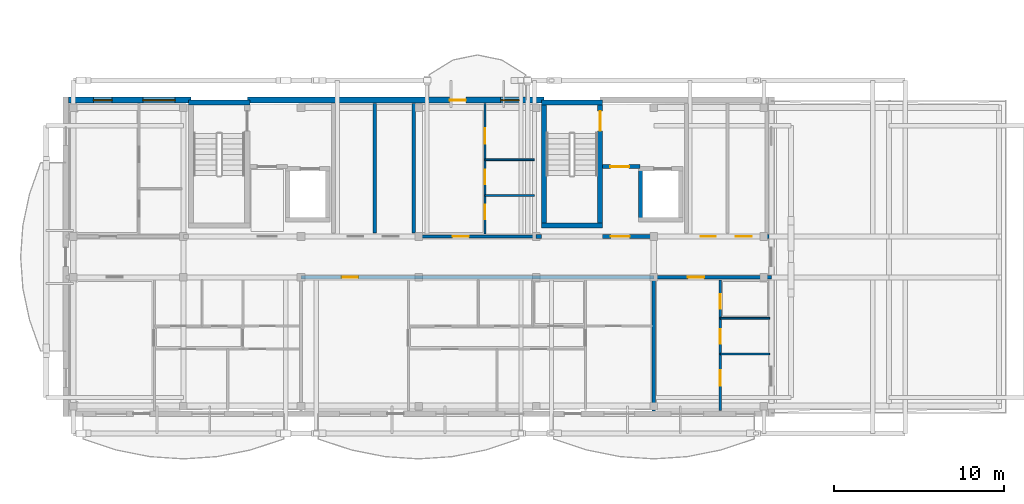
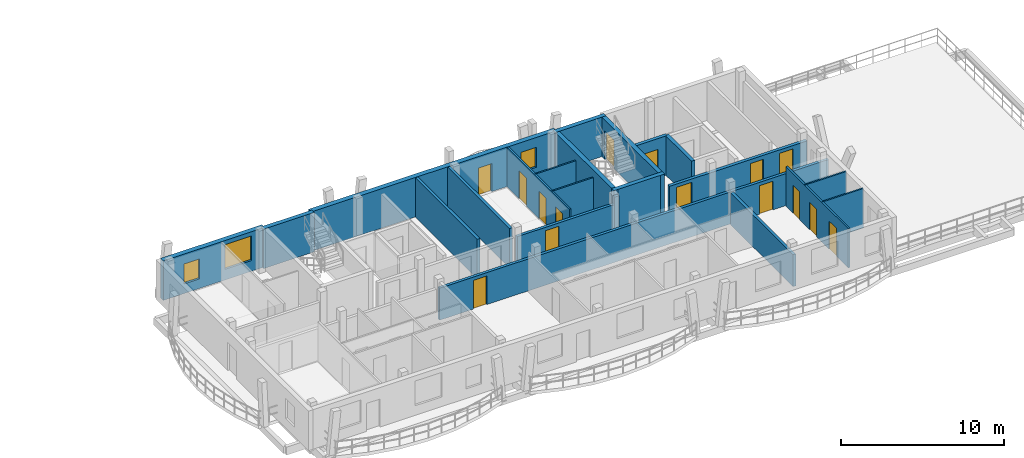
# One storey, part 15 of 33: 23 walls, 15 doors, 3 windows, 18 openings.
"""IFC4 building model written with IfcOpenShell, lengths in metres."""

from ifc_helpers import new_model, si_unit, direction, frame, frame_2d, origin, origin_with_axes, place, context, subcontext, project, spatial, rectangle, extrude, material, layer, layer_set, type_object, element, fill, save


model = new_model("IFC4")

# Units and contexts
model_context = context("Model", 3, precision=1e-05, world=origin(), true_north=direction((0.0, 1.0)))
body_context = subcontext(model_context, "Body", "Model", "MODEL_VIEW")
ifc_project = project(units=[si_unit("LENGTHUNIT", "METRE"), si_unit("AREAUNIT", "SQUARE_METRE"), si_unit("VOLUMEUNIT", "CUBIC_METRE"), si_unit("PLANEANGLEUNIT", "RADIAN"), si_unit("MASSUNIT", "GRAM", prefix="KILO")], contexts=[model_context])

# Site, building, storey
site_placement = place(None, origin())
site = spatial("IfcSite", under=ifc_project, at=site_placement, CompositionType="ELEMENT")
building_placement = place(site_placement, origin())
building = spatial("IfcBuilding", under=site, at=building_placement, Name="Zavelmont Quarter", CompositionType="ELEMENT")
storey_placement = place(building_placement, frame((0.0, 0.0, 30.39990234375)))
storey = spatial("IfcBuildingStorey", under=building, at=storey_placement, Name="L09", CompositionType="ELEMENT", Elevation=30.39990234375)

# Wall, openings, windows
ifc_material_1 = material(Name="Natural Belgian limestone", Category="masonry")
ifc_layer_1 = layer(ifc_material_1, 0.340087890625)
ifc_layer_set_1 = layer_set([ifc_layer_1], Name="Natural Belgian limestone")
wall_type_1 = type_object("IfcWallType", Name="EW03", PredefinedType="STANDARD", material=ifc_layer_set_1)
wall_1_placement = place(storey_placement, frame((0.159912109375, 18.39990234375, 0.0), z_axis=(0.0, 0.0, 1.0), x_axis=(1.0, 0.0, 0.0)))
wall_1 = element("IfcWall", 1, at=wall_1_placement, inside=storey, type_object=wall_type_1, Name="L09 exterior limestone wall EW03", PredefinedType="STANDARD", context=body_context, shape_type="SweptSolid", body=[
    extrude(rectangle(XDim=7.190185546875, YDim=0.340087890625, at=frame_2d((3.59521484375, 0.0))), origin(), (0.0, 0.0, 1.0), 2.960205078125),
])
opening_1_placement = place(wall_1_placement, frame((1.4599609375, 0.0, 0.719970703125)))
opening_1 = element("IfcOpeningElement", 2, at=opening_1_placement, cuts=wall_1, Name="Opening WN09", PredefinedType="OPENING", context=body_context, shape_type="SweptSolid", body=[
    extrude(rectangle(XDim=1.10009765625, YDim=1.5, at=frame_2d((0.550048828125, 0.75))), frame((0.0, 0.18212890625, 0.0), z_axis=(0.0, -1.0, 0.0), x_axis=(1.0, 0.0, 0.0)), (0.0, 0.0, 1.0), 0.364013671875),
])
opening_2_placement = place(wall_1_placement, frame((4.360107421875, 0.0, 0.800048828125)))
opening_2 = element("IfcOpeningElement", 3, at=opening_2_placement, cuts=wall_1, Name="Opening WN20", PredefinedType="OPENING", context=body_context, shape_type="SweptSolid", body=[
    extrude(rectangle(XDim=1.89990234375, YDim=1.85009765625, at=frame_2d((0.949951171875, 0.925048828125))), frame((0.0, 0.18212890625, 0.0), z_axis=(0.0, -1.0, 0.0), x_axis=(1.0, 0.0, 0.0)), (0.0, 0.0, 1.0), 0.364013671875),
])
ifc_material_2 = material(Name="Double low-E insulated glazing in thermally broken aluminium frame", Category="aluminium")
window_type_1 = type_object("IfcWindowType", Name="WN09", PartitioningType="SINGLE_PANEL", PredefinedType="WINDOW", material=ifc_material_2)
window_1_placement = place(opening_1_placement, origin_with_axes())
window_1 = element("IfcWindow", 4, at=window_1_placement, inside=storey, type_object=window_type_1, Name="L09 window WN09", OverallHeight=1.5, OverallWidth=1.10009765625, PartitioningType="SINGLE_PANEL", PredefinedType="WINDOW", context=body_context, shape_type="SweptSolid", body=[
    extrude(rectangle(XDim=1.10009765625, YDim=1.5, at=frame_2d((0.550048828125, 0.75))), frame((0.0, 0.030029296875, 0.0), z_axis=(0.0, -1.0, 0.0), x_axis=(1.0, 0.0, 0.0)), (0.0, 0.0, 1.0), 0.06005859375),
])
fill(opening_1, window_1)
window_type_2 = type_object("IfcWindowType", Name="WN20", PartitioningType="SINGLE_PANEL", PredefinedType="WINDOW", material=ifc_material_2)
window_2_placement = place(opening_2_placement, origin_with_axes())
window_2 = element("IfcWindow", 5, at=window_2_placement, inside=storey, type_object=window_type_2, Name="L09 window WN20", OverallHeight=1.85009765625, OverallWidth=1.89990234375, PartitioningType="SINGLE_PANEL", PredefinedType="WINDOW", context=body_context, shape_type="SweptSolid", body=[
    extrude(rectangle(XDim=1.89990234375, YDim=1.85009765625, at=frame_2d((0.949951171875, 0.925048828125))), frame((0.0, 0.030029296875, 0.0), z_axis=(0.0, -1.0, 0.0), x_axis=(1.0, 0.0, 0.0)), (0.0, 0.0, 1.0), 0.06005859375),
])
fill(opening_2, window_2)

# Wall, openings, door, window
wall_2_placement = place(storey_placement, frame((10.64990234375, 18.39990234375, 0.0), z_axis=(0.0, 0.0, 1.0), x_axis=(1.0, 0.0, 0.0)))
wall_2 = element("IfcWall", 6, at=wall_2_placement, inside=storey, type_object=wall_type_1, Name="L09 exterior limestone wall EW03", PredefinedType="STANDARD", context=body_context, shape_type="SweptSolid", body=[
    extrude(rectangle(XDim=17.400146484375, YDim=0.340087890625, at=frame_2d((8.7001953125, 0.0))), origin(), (0.0, 0.0, 1.0), 2.960205078125),
])
opening_3_placement = place(wall_2_placement, frame((11.8701171875, 0.0, 0.0)))
opening_3 = element("IfcOpeningElement", 7, at=opening_3_placement, cuts=wall_2, Name="Opening DR04", PredefinedType="OPENING", context=body_context, shape_type="SweptSolid", body=[
    extrude(rectangle(XDim=0.949951171875, YDim=2.10009765625, at=frame_2d((0.47509765625, 1.050048828125))), frame((0.0, 0.18212890625, 0.0), z_axis=(0.0, -1.0, 0.0), x_axis=(1.0, 0.0, 0.0)), (0.0, 0.0, 1.0), 0.364013671875),
])
opening_4_placement = place(wall_2_placement, frame((14.8701171875, 0.0, 0.719970703125)))
opening_4 = element("IfcOpeningElement", 8, at=opening_4_placement, cuts=wall_2, Name="Opening WN09", PredefinedType="OPENING", context=body_context, shape_type="SweptSolid", body=[
    extrude(rectangle(XDim=1.10009765625, YDim=1.5, at=frame_2d((0.550048828125, 0.75))), frame((0.0, 0.18212890625, 0.0), z_axis=(0.0, -1.0, 0.0), x_axis=(1.0, 0.0, 0.0)), (0.0, 0.0, 1.0), 0.364013671875),
])
ifc_material_3 = material(Name="Thermally broken aluminium and double safety glass", Category="aluminium")
door_type_1 = type_object("IfcDoorType", Name="DR04", OperationType="NOTDEFINED", PredefinedType="DOOR", material=ifc_material_3)
door_1_placement = place(opening_3_placement, frame((0.949951171875, 0.0, 0.0), z_axis=(0.0, 0.0, 1.0), x_axis=(-1.0, 0.0, 0.0)))
door_1 = element("IfcDoor", 9, at=door_1_placement, inside=storey, type_object=door_type_1, Name="Block A L09 glazed balcony door", OperationType="SINGLE_SWING_LEFT", OverallHeight=2.10009765625, OverallWidth=0.949951171875, PredefinedType="DOOR", context=body_context, shape_type="SweptSolid", body=[
    extrude(rectangle(XDim=0.949951171875, YDim=2.10009765625, at=frame_2d((0.47509765625, 1.050048828125))), frame((0.0, 0.02490234375, 0.0), z_axis=(0.0, -1.0, 0.0), x_axis=(1.0, 0.0, 0.0)), (0.0, 0.0, 1.0), 0.050048828125),
])
fill(opening_3, door_1)
window_3_placement = place(opening_4_placement, origin_with_axes())
window_3 = element("IfcWindow", 10, at=window_3_placement, inside=storey, type_object=window_type_1, Name="L09 window WN09", OverallHeight=1.5, OverallWidth=1.10009765625, PartitioningType="SINGLE_PANEL", PredefinedType="WINDOW", context=body_context, shape_type="SweptSolid", body=[
    extrude(rectangle(XDim=1.10009765625, YDim=1.5, at=frame_2d((0.550048828125, 0.75))), frame((0.0, 0.030029296875, 0.0), z_axis=(0.0, -1.0, 0.0), x_axis=(1.0, 0.0, 0.0)), (0.0, 0.0, 1.0), 0.06005859375),
])
fill(opening_4, window_3)

# Walls
ifc_material_4 = material(Name="Calcium-silicate blockwork and acoustic plaster", Category="masonry")
ifc_layer_2 = layer(ifc_material_4, 0.199951171875)
ifc_layer_set_2 = layer_set([ifc_layer_2], Name="Calcium-silicate blockwork and acoustic plaster")
wall_type_2 = type_object("IfcWallType", Name="IW01", PredefinedType="PARTITIONING", material=ifc_layer_set_2)
for number, where, z_axis, x_axis, name in (
    (11, (18.125, 10.60009765625, 0.0), (0.0, 0.0, 1.0), (0.0, 1.0, 0.0), "L09 Service riser divider wall IW01"),
    (12, (20.419921875, 10.60009765625, 0.0), (0.0, 0.0, 1.0), (0.0, 1.0, 0.0), "L09 Core service end wall IW01"),
):
    element("IfcWall", number, at=place(storey_placement, frame(where, z_axis=z_axis, x_axis=x_axis)), inside=storey, type_object=wall_type_2, Name=name, PredefinedType="PARTITIONING", context=body_context, shape_type="SweptSolid", body=[
        extrude(rectangle(XDim=7.599853515625, YDim=0.199951171875, at=frame_2d((3.7998046875, 0.0))), origin(), (0.0, 0.0, 1.0), 2.960205078125),
    ])
wall_3_placement = place(storey_placement, frame((34.5, 7.85009765625, 0.0), z_axis=(0.0, 0.0, 1.0), x_axis=(0.0, -1.0, 0.0)))
element("IfcWall", 13, at=wall_3_placement, inside=storey, type_object=wall_type_2, Name="L09 Inter-dwelling compartment wall IW01", PredefinedType="PARTITIONING", context=body_context, shape_type="SweptSolid", body=[
    extrude(rectangle(XDim=7.7001953125, YDim=0.199951171875, at=frame_2d((3.85009765625, 0.0))), origin(), (0.0, 0.0, 1.0), 2.400146484375),
])

# Wall, opening, door
wall_4_placement = place(storey_placement, frame((13.800048828125, 8.0, 0.0), z_axis=(0.0, 0.0, 1.0), x_axis=(1.0, 0.0, 0.0)))
wall_4 = element("IfcWall", 14, at=wall_4_placement, inside=storey, type_object=wall_type_2, Name="L09 Corridor compartment wall IW01", PredefinedType="PARTITIONING", context=body_context, shape_type="SweptSolid", body=[
    extrude(rectangle(XDim=20.699951171875, YDim=0.199951171875, at=frame_2d((10.35009765625, 0.0))), origin(), (0.0, 0.0, 1.0), 2.400146484375),
])
opening_5_placement = place(wall_4_placement, frame((2.39990234375, 0.0, 0.0)))
opening_5 = element("IfcOpeningElement", 15, at=opening_5_placement, cuts=wall_4, Name="Opening DR02", PredefinedType="OPENING", context=body_context, shape_type="SweptSolid", body=[
    extrude(rectangle(XDim=0.949951171875, YDim=2.14990234375, at=frame_2d((0.47509765625, 1.074951171875))), frame((0.0, 0.11181640625, 0.0), z_axis=(0.0, -1.0, 0.0), x_axis=(1.0, 0.0, 0.0)), (0.0, 0.0, 1.0), 0.223876953125),
])
ifc_material_5 = material(Name="Solid-core oak fire leaf in steel frame", Category="steel")
door_type_2 = type_object("IfcDoorType", Name="DR02", OperationType="NOTDEFINED", PredefinedType="DOOR", material=ifc_material_5)
door_2_placement = place(opening_5_placement, frame((0.949951171875, 0.0, 0.0), z_axis=(0.0, 0.0, 1.0), x_axis=(-1.0, 0.0, 0.0)))
door_2 = element("IfcDoor", 16, at=door_2_placement, inside=storey, type_object=door_type_2, Name="L09 door DR02", OperationType="SINGLE_SWING_RIGHT", OverallHeight=2.14990234375, OverallWidth=0.949951171875, PredefinedType="DOOR", context=body_context, shape_type="SweptSolid", body=[
    extrude(rectangle(XDim=0.949951171875, YDim=2.14990234375, at=frame_2d((0.47509765625, 1.074951171875))), frame((0.0, 0.02490234375, 0.0), z_axis=(0.0, -1.0, 0.0), x_axis=(1.0, 0.0, 0.0)), (0.0, 0.0, 1.0), 0.050048828125),
])
fill(opening_5, door_2)

wall_5_placement = place(storey_placement, frame((34.5, 8.0, 0.0), z_axis=(0.0, 0.0, 1.0), x_axis=(1.0, 0.0, 0.0)))
wall_5 = element("IfcWall", 17, at=wall_5_placement, inside=storey, type_object=wall_type_2, Name="L09 Corridor compartment wall IW01", PredefinedType="PARTITIONING", context=body_context, shape_type="SweptSolid", body=[
    extrude(rectangle(XDim=6.89990234375, YDim=0.199951171875, at=frame_2d((3.449951171875, 0.0))), origin(), (0.0, 0.0, 1.0), 2.400146484375),
])
opening_6_placement = place(wall_5_placement, frame((2.0, 0.0, 0.0)))
opening_6 = element("IfcOpeningElement", 18, at=opening_6_placement, cuts=wall_5, Name="Opening DR02", PredefinedType="OPENING", context=body_context, shape_type="SweptSolid", body=[
    extrude(rectangle(XDim=0.949951171875, YDim=2.14990234375, at=frame_2d((0.47509765625, 1.074951171875))), frame((0.0, 0.11181640625, 0.0), z_axis=(0.0, -1.0, 0.0), x_axis=(1.0, 0.0, 0.0)), (0.0, 0.0, 1.0), 0.223876953125),
])
door_3_placement = place(opening_6_placement, frame((0.949951171875, 0.0, 0.0), z_axis=(0.0, 0.0, 1.0), x_axis=(-1.0, 0.0, 0.0)))
door_3 = element("IfcDoor", 19, at=door_3_placement, inside=storey, type_object=door_type_2, Name="L09 door DR02", OperationType="SINGLE_SWING_RIGHT", OverallHeight=2.14990234375, OverallWidth=0.949951171875, PredefinedType="DOOR", context=body_context, shape_type="SweptSolid", body=[
    extrude(rectangle(XDim=0.949951171875, YDim=2.14990234375, at=frame_2d((0.47509765625, 1.074951171875))), frame((0.0, 0.02490234375, 0.0), z_axis=(0.0, -1.0, 0.0), x_axis=(1.0, 0.0, 0.0)), (0.0, 0.0, 1.0), 0.050048828125),
])
fill(opening_6, door_3)

wall_6_placement = place(storey_placement, frame((20.699951171875, 10.39990234375, 0.0), z_axis=(0.0, 0.0, 1.0), x_axis=(1.0, 0.0, 0.0)))
wall_6 = element("IfcWall", 20, at=wall_6_placement, inside=storey, type_object=wall_type_2, Name="L09 Corridor compartment wall IW01", PredefinedType="PARTITIONING", context=body_context, shape_type="SweptSolid", body=[
    extrude(rectangle(XDim=6.900146484375, YDim=0.199951171875, at=frame_2d((3.4501953125, 0.0))), origin(), (0.0, 0.0, 1.0), 2.400146484375),
])
opening_7_placement = place(wall_6_placement, frame((2.0, 0.0, 0.0)))
opening_7 = element("IfcOpeningElement", 21, at=opening_7_placement, cuts=wall_6, Name="Opening DR02", PredefinedType="OPENING", context=body_context, shape_type="SweptSolid", body=[
    extrude(rectangle(XDim=0.949951171875, YDim=2.14990234375, at=frame_2d((0.47509765625, 1.074951171875))), frame((0.0, 0.11181640625, 0.0), z_axis=(0.0, -1.0, 0.0), x_axis=(1.0, 0.0, 0.0)), (0.0, 0.0, 1.0), 0.223876953125),
])
door_4_placement = place(opening_7_placement, origin_with_axes())
door_4 = element("IfcDoor", 22, at=door_4_placement, inside=storey, type_object=door_type_2, Name="L09 door DR02", OperationType="SINGLE_SWING_LEFT", OverallHeight=2.14990234375, OverallWidth=0.949951171875, PredefinedType="DOOR", context=body_context, shape_type="SweptSolid", body=[
    extrude(rectangle(XDim=0.949951171875, YDim=2.14990234375, at=frame_2d((0.47509765625, 1.074951171875))), frame((0.0, 0.02490234375, 0.0), z_axis=(0.0, -1.0, 0.0), x_axis=(1.0, 0.0, 0.0)), (0.0, 0.0, 1.0), 0.050048828125),
])
fill(opening_7, door_4)

ifc_material_6 = material(Name="Reinforced masonry fire compartment wall", Category="masonry")
ifc_layer_3 = layer(ifc_material_6, 0.22509765625)
ifc_layer_set_3 = layer_set([ifc_layer_3], Name="Reinforced masonry fire compartment wall")
wall_type_3 = type_object("IfcWallType", Name="IW02", PredefinedType="PARTITIONING", material=ifc_layer_set_3)
wall_7_placement = place(storey_placement, frame((31.5, 14.5, 0.0), z_axis=(0.0, 0.0, 1.0), x_axis=(1.0, 0.0, 0.0)))
wall_7 = element("IfcWall", 23, at=wall_7_placement, inside=storey, type_object=wall_type_3, Name="L09 Firefighting lobby threshold wall IW02", PredefinedType="PARTITIONING", context=body_context, shape_type="SweptSolid", body=[
    extrude(rectangle(XDim=2.199951171875, YDim=0.22509765625, at=frame_2d((1.10009765625, 0.0))), origin(), (0.0, 0.0, 1.0), 2.960205078125),
])
opening_8_placement = place(wall_7_placement, frame((0.449951171875, 0.0, 0.0)))
opening_8 = element("IfcOpeningElement", 24, at=opening_8_placement, cuts=wall_7, Name="Opening DR10", PredefinedType="OPENING", context=body_context, shape_type="SweptSolid", body=[
    extrude(rectangle(XDim=1.10009765625, YDim=2.14990234375, at=frame_2d((0.550048828125, 1.074951171875))), frame((0.0, 0.12451171875, 0.0), z_axis=(0.0, -1.0, 0.0), x_axis=(1.0, 0.0, 0.0)), (0.0, 0.0, 1.0), 0.2490234375),
])
ifc_material_7 = material(Name="Painted steel lobby fire door", Category="steel")
door_type_3 = type_object("IfcDoorType", Name="DR10", OperationType="NOTDEFINED", PredefinedType="DOOR", material=ifc_material_7)
door_5_placement = place(opening_8_placement, origin_with_axes())
door_5 = element("IfcDoor", 25, at=door_5_placement, inside=storey, type_object=door_type_3, Name="Firefighting lobby fire door", OperationType="SINGLE_SWING_RIGHT", OverallHeight=2.14990234375, OverallWidth=1.10009765625, PredefinedType="DOOR", context=body_context, shape_type="SweptSolid", body=[
    extrude(rectangle(XDim=1.10009765625, YDim=2.14990234375, at=frame_2d((0.550048828125, 1.074951171875))), frame((0.0, 0.02490234375, 0.0), z_axis=(0.0, -1.0, 0.0), x_axis=(1.0, 0.0, 0.0)), (0.0, 0.0, 1.0), 0.050048828125),
])
fill(opening_8, door_5)

# Wall
wall_8_placement = place(storey_placement, frame((27.60009765625, 10.39990234375, 0.0), z_axis=(0.0, 0.0, 1.0), x_axis=(1.0, 0.0, 0.0)))
element("IfcWall", 26, at=wall_8_placement, inside=storey, type_object=wall_type_3, Name="L09 Core corridor wall IW02", PredefinedType="PARTITIONING", context=body_context, shape_type="SweptSolid", body=[
    extrude(rectangle(XDim=0.2998046875, YDim=0.22509765625, at=frame_2d((0.14990234375, 0.0))), origin(), (0.0, 0.0, 1.0), 2.960205078125),
])

# Wall, openings, doors
wall_9_placement = place(storey_placement, frame((31.5, 10.39990234375, 0.0), z_axis=(0.0, 0.0, 1.0), x_axis=(1.0, 0.0, 0.0)))
wall_9 = element("IfcWall", 27, at=wall_9_placement, inside=storey, type_object=wall_type_3, Name="L09 Core corridor fire wall IW02", PredefinedType="PARTITIONING", context=body_context, shape_type="SweptSolid", body=[
    extrude(rectangle(XDim=9.75, YDim=0.22509765625, at=frame_2d((4.875, 0.0))), origin(), (0.0, 0.0, 1.0), 2.400146484375),
])
opening_9_placement = place(wall_9_placement, frame((0.47509765625, 0.0, 0.0)))
opening_9 = element("IfcOpeningElement", 28, at=opening_9_placement, cuts=wall_9, Name="Opening DR10", PredefinedType="OPENING", context=body_context, shape_type="SweptSolid", body=[
    extrude(rectangle(XDim=1.10009765625, YDim=2.14990234375, at=frame_2d((0.550048828125, 1.074951171875))), frame((0.0, 0.12451171875, 0.0), z_axis=(0.0, -1.0, 0.0), x_axis=(1.0, 0.0, 0.0)), (0.0, 0.0, 1.0), 0.2490234375),
])
opening_10_placement = place(wall_9_placement, frame((5.75, 0.0, 0.0)))
opening_10 = element("IfcOpeningElement", 29, at=opening_10_placement, cuts=wall_9, Name="Opening DR11", PredefinedType="OPENING", context=body_context, shape_type="SweptSolid", body=[
    extrude(rectangle(XDim=0.89990234375, YDim=2.10009765625, at=frame_2d((0.449951171875, 1.050048828125))), frame((0.0, 0.12451171875, 0.0), z_axis=(0.0, -1.0, 0.0), x_axis=(1.0, 0.0, 0.0)), (0.0, 0.0, 1.0), 0.2490234375),
])
opening_11_placement = place(wall_9_placement, frame((7.800048828125, 0.0, 0.0)))
opening_11 = element("IfcOpeningElement", 30, at=opening_11_placement, cuts=wall_9, Name="Opening DR02", PredefinedType="OPENING", context=body_context, shape_type="SweptSolid", body=[
    extrude(rectangle(XDim=0.949951171875, YDim=2.14990234375, at=frame_2d((0.47509765625, 1.074951171875))), frame((0.0, 0.12451171875, 0.0), z_axis=(0.0, -1.0, 0.0), x_axis=(1.0, 0.0, 0.0)), (0.0, 0.0, 1.0), 0.2490234375),
])
door_6_placement = place(opening_11_placement, frame((0.949951171875, 0.0, 0.0), z_axis=(0.0, 0.0, 1.0), x_axis=(-1.0, 0.0, 0.0)))
door_6 = element("IfcDoor", 31, at=door_6_placement, inside=storey, type_object=door_type_2, Name="Auxiliary store corridor door", OperationType="SINGLE_SWING_RIGHT", OverallHeight=2.14990234375, OverallWidth=0.949951171875, PredefinedType="DOOR", context=body_context, shape_type="SweptSolid", body=[
    extrude(rectangle(XDim=0.949951171875, YDim=2.14990234375, at=frame_2d((0.47509765625, 1.074951171875))), frame((0.0, 0.02490234375, 0.0), z_axis=(0.0, -1.0, 0.0), x_axis=(1.0, 0.0, 0.0)), (0.0, 0.0, 1.0), 0.050048828125),
])
fill(opening_11, door_6)
door_7_placement = place(opening_9_placement, origin_with_axes())
door_7 = element("IfcDoor", 32, at=door_7_placement, inside=storey, type_object=door_type_3, Name="Core vestibule fire door", OperationType="SINGLE_SWING_LEFT", OverallHeight=2.14990234375, OverallWidth=1.10009765625, PredefinedType="DOOR", context=body_context, shape_type="SweptSolid", body=[
    extrude(rectangle(XDim=1.10009765625, YDim=2.14990234375, at=frame_2d((0.550048828125, 1.074951171875))), frame((0.0, 0.02490234375, 0.0), z_axis=(0.0, -1.0, 0.0), x_axis=(1.0, 0.0, 0.0)), (0.0, 0.0, 1.0), 0.050048828125),
])
fill(opening_9, door_7)
ifc_material_8 = material(Name="Painted steel service-riser fire door", Category="steel")
door_type_4 = type_object("IfcDoorType", Name="DR11", OperationType="NOTDEFINED", PredefinedType="DOOR", material=ifc_material_8)
door_8_placement = place(opening_10_placement, frame((0.89990234375, 0.0, 0.0), z_axis=(0.0, 0.0, 1.0), x_axis=(-1.0, 0.0, 0.0)))
door_8 = element("IfcDoor", 33, at=door_8_placement, inside=storey, type_object=door_type_4, Name="Service riser fire door", OperationType="SINGLE_SWING_LEFT", OverallHeight=2.10009765625, OverallWidth=0.89990234375, PredefinedType="DOOR", context=body_context, shape_type="SweptSolid", body=[
    extrude(rectangle(XDim=0.89990234375, YDim=2.10009765625, at=frame_2d((0.449951171875, 1.050048828125))), frame((0.0, 0.02490234375, 0.0), z_axis=(0.0, -1.0, 0.0), x_axis=(1.0, 0.0, 0.0)), (0.0, 0.0, 1.0), 0.050048828125),
])
fill(opening_10, door_8)

ifc_material_9 = material(Name="Double gypsum board on acoustic steel stud", Category="steel")
ifc_layer_4 = layer(ifc_material_9, 0.125)
ifc_layer_set_4 = layer_set([ifc_layer_4], Name="Double gypsum board on acoustic steel stud")
wall_type_4 = type_object("IfcWallType", Name="IW03", PredefinedType="PARTITIONING", material=ifc_layer_set_4)
wall_10_placement = place(storey_placement, frame((38.39990234375, 7.85009765625, 0.0), z_axis=(0.0, 0.0, 1.0), x_axis=(0.0, -1.0, 0.0)))
wall_10 = element("IfcWall", 34, at=wall_10_placement, inside=storey, type_object=wall_type_4, Name="L09 Partition IW03", PredefinedType="PARTITIONING", context=body_context, shape_type="SweptSolid", body=[
    extrude(rectangle(XDim=7.650146484375, YDim=0.125, at=frame_2d((3.8251953125, 0.0))), origin(), (0.0, 0.0, 1.0), 2.960205078125),
])
opening_12_placement = place(wall_10_placement, frame((0.85009765625, 0.0, 0.0)))
opening_12 = element("IfcOpeningElement", 35, at=opening_12_placement, cuts=wall_10, Name="Opening DR16", PredefinedType="OPENING", context=body_context, shape_type="SweptSolid", body=[
    extrude(rectangle(XDim=0.85009765625, YDim=2.10009765625, at=frame_2d((0.425048828125, 1.050048828125))), frame((0.0, 0.074462890625, 0.0), z_axis=(0.0, -1.0, 0.0), x_axis=(1.0, 0.0, 0.0)), (0.0, 0.0, 1.0), 0.14892578125),
])
opening_13_placement = place(wall_10_placement, frame((2.89990234375, 0.0, 0.0)))
opening_13 = element("IfcOpeningElement", 36, at=opening_13_placement, cuts=wall_10, Name="Opening DR06", PredefinedType="OPENING", context=body_context, shape_type="SweptSolid", body=[
    extrude(rectangle(XDim=0.85009765625, YDim=2.050048828125, at=frame_2d((0.425048828125, 1.02490234375))), frame((0.0, 0.074462890625, 0.0), z_axis=(0.0, -1.0, 0.0), x_axis=(1.0, 0.0, 0.0)), (0.0, 0.0, 1.0), 0.14892578125),
])
opening_14_placement = place(wall_10_placement, frame((5.300048828125, 0.0, 0.0)))
opening_14 = element("IfcOpeningElement", 37, at=opening_14_placement, cuts=wall_10, Name="Opening DR05", PredefinedType="OPENING", context=body_context, shape_type="SweptSolid", body=[
    extrude(rectangle(XDim=0.89990234375, YDim=2.10009765625, at=frame_2d((0.449951171875, 1.050048828125))), frame((0.0, 0.074462890625, 0.0), z_axis=(0.0, -1.0, 0.0), x_axis=(1.0, 0.0, 0.0)), (0.0, 0.0, 1.0), 0.14892578125),
])
ifc_material_10 = material(Name="Engineered oak flush interior door")
door_type_5 = type_object("IfcDoorType", Name="DR05", OperationType="NOTDEFINED", PredefinedType="DOOR", material=ifc_material_10)
door_9_placement = place(opening_14_placement, frame((0.89990234375, 0.0, 0.0), z_axis=(0.0, 0.0, 1.0), x_axis=(-1.0, 0.0, 0.0)))
door_9 = element("IfcDoor", 38, at=door_9_placement, inside=storey, type_object=door_type_5, Name="L09 door DR05", OperationType="SINGLE_SWING_RIGHT", OverallHeight=2.10009765625, OverallWidth=0.89990234375, PredefinedType="DOOR", context=body_context, shape_type="SweptSolid", body=[
    extrude(rectangle(XDim=0.89990234375, YDim=2.10009765625, at=frame_2d((0.449951171875, 1.050048828125))), frame((0.0, 0.02490234375, 0.0), z_axis=(0.0, -1.0, 0.0), x_axis=(1.0, 0.0, 0.0)), (0.0, 0.0, 1.0), 0.050048828125),
])
fill(opening_14, door_9)
ifc_material_11 = material(Name="Moisture-resistant painted wet-room door")
door_type_6 = type_object("IfcDoorType", Name="DR06", OperationType="NOTDEFINED", PredefinedType="DOOR", material=ifc_material_11)
door_10_placement = place(opening_13_placement, origin_with_axes())
door_10 = element("IfcDoor", 39, at=door_10_placement, inside=storey, type_object=door_type_6, Name="L09 door DR06", OperationType="SINGLE_SWING_LEFT", OverallHeight=2.050048828125, OverallWidth=0.85009765625, PredefinedType="DOOR", context=body_context, shape_type="SweptSolid", body=[
    extrude(rectangle(XDim=0.85009765625, YDim=2.050048828125, at=frame_2d((0.425048828125, 1.02490234375))), frame((0.0, 0.02490234375, 0.0), z_axis=(0.0, -1.0, 0.0), x_axis=(1.0, 0.0, 0.0)), (0.0, 0.0, 1.0), 0.050048828125),
])
fill(opening_13, door_10)
door_type_7 = type_object("IfcDoorType", Name="DR16", OperationType="NOTDEFINED", PredefinedType="DOOR", material=ifc_material_10)
door_11_placement = place(opening_12_placement, frame((0.85009765625, 0.0, 0.0), z_axis=(0.0, 0.0, 1.0), x_axis=(-1.0, 0.0, 0.0)))
door_11 = element("IfcDoor", 40, at=door_11_placement, inside=storey, type_object=door_type_7, Name="L09 door DR16", OperationType="SINGLE_SWING_RIGHT", OverallHeight=2.10009765625, OverallWidth=0.85009765625, PredefinedType="DOOR", context=body_context, shape_type="SweptSolid", body=[
    extrude(rectangle(XDim=0.85009765625, YDim=2.10009765625, at=frame_2d((0.425048828125, 1.050048828125))), frame((0.0, 0.02490234375, 0.0), z_axis=(0.0, -1.0, 0.0), x_axis=(1.0, 0.0, 0.0)), (0.0, 0.0, 1.0), 0.050048828125),
])
fill(opening_12, door_11)

wall_11_placement = place(storey_placement, frame((24.60009765625, 10.550048828125, 0.0), z_axis=(0.0, 0.0, 1.0), x_axis=(0.0, 1.0, 0.0)))
wall_11 = element("IfcWall", 41, at=wall_11_placement, inside=storey, type_object=wall_type_4, Name="L09 Partition IW03", PredefinedType="PARTITIONING", context=body_context, shape_type="SweptSolid", body=[
    extrude(rectangle(XDim=7.64990234375, YDim=0.125, at=frame_2d((3.824951171875, 0.0))), origin(), (0.0, 0.0, 1.0), 2.960205078125),
])
opening_15_placement = place(wall_11_placement, frame((0.85009765625, 0.0, 0.0)))
opening_15 = element("IfcOpeningElement", 42, at=opening_15_placement, cuts=wall_11, Name="Opening DR16", PredefinedType="OPENING", context=body_context, shape_type="SweptSolid", body=[
    extrude(rectangle(XDim=0.85009765625, YDim=2.10009765625, at=frame_2d((0.425048828125, 1.050048828125))), frame((0.0, 0.074462890625, 0.0), z_axis=(0.0, -1.0, 0.0), x_axis=(1.0, 0.0, 0.0)), (0.0, 0.0, 1.0), 0.14892578125),
])
opening_16_placement = place(wall_11_placement, frame((2.89990234375, 0.0, 0.0)))
opening_16 = element("IfcOpeningElement", 43, at=opening_16_placement, cuts=wall_11, Name="Opening DR06", PredefinedType="OPENING", context=body_context, shape_type="SweptSolid", body=[
    extrude(rectangle(XDim=0.85009765625, YDim=2.050048828125, at=frame_2d((0.425048828125, 1.02490234375))), frame((0.0, 0.074462890625, 0.0), z_axis=(0.0, -1.0, 0.0), x_axis=(1.0, 0.0, 0.0)), (0.0, 0.0, 1.0), 0.14892578125),
])
opening_17_placement = place(wall_11_placement, frame((5.300048828125, 0.0, 0.0)))
opening_17 = element("IfcOpeningElement", 44, at=opening_17_placement, cuts=wall_11, Name="Opening DR05", PredefinedType="OPENING", context=body_context, shape_type="SweptSolid", body=[
    extrude(rectangle(XDim=0.89990234375, YDim=2.10009765625, at=frame_2d((0.449951171875, 1.050048828125))), frame((0.0, 0.074462890625, 0.0), z_axis=(0.0, -1.0, 0.0), x_axis=(1.0, 0.0, 0.0)), (0.0, 0.0, 1.0), 0.14892578125),
])
door_12_placement = place(opening_17_placement, origin_with_axes())
door_12 = element("IfcDoor", 45, at=door_12_placement, inside=storey, type_object=door_type_5, Name="L09 door DR05", OperationType="SINGLE_SWING_LEFT", OverallHeight=2.10009765625, OverallWidth=0.89990234375, PredefinedType="DOOR", context=body_context, shape_type="SweptSolid", body=[
    extrude(rectangle(XDim=0.89990234375, YDim=2.10009765625, at=frame_2d((0.449951171875, 1.050048828125))), frame((0.0, 0.02490234375, 0.0), z_axis=(0.0, -1.0, 0.0), x_axis=(1.0, 0.0, 0.0)), (0.0, 0.0, 1.0), 0.050048828125),
])
fill(opening_17, door_12)
door_13_placement = place(opening_16_placement, frame((0.85009765625, 0.0, 0.0), z_axis=(0.0, 0.0, 1.0), x_axis=(-1.0, 0.0, 0.0)))
door_13 = element("IfcDoor", 46, at=door_13_placement, inside=storey, type_object=door_type_6, Name="L09 door DR06", OperationType="SINGLE_SWING_RIGHT", OverallHeight=2.050048828125, OverallWidth=0.85009765625, PredefinedType="DOOR", context=body_context, shape_type="SweptSolid", body=[
    extrude(rectangle(XDim=0.85009765625, YDim=2.050048828125, at=frame_2d((0.425048828125, 1.02490234375))), frame((0.0, 0.02490234375, 0.0), z_axis=(0.0, -1.0, 0.0), x_axis=(1.0, 0.0, 0.0)), (0.0, 0.0, 1.0), 0.050048828125),
])
fill(opening_16, door_13)
door_14_placement = place(opening_15_placement, origin_with_axes())
door_14 = element("IfcDoor", 47, at=door_14_placement, inside=storey, type_object=door_type_7, Name="L09 door DR16", OperationType="SINGLE_SWING_LEFT", OverallHeight=2.10009765625, OverallWidth=0.85009765625, PredefinedType="DOOR", context=body_context, shape_type="SweptSolid", body=[
    extrude(rectangle(XDim=0.85009765625, YDim=2.10009765625, at=frame_2d((0.425048828125, 1.050048828125))), frame((0.0, 0.02490234375, 0.0), z_axis=(0.0, -1.0, 0.0), x_axis=(1.0, 0.0, 0.0)), (0.0, 0.0, 1.0), 0.050048828125),
])
fill(opening_15, door_14)

# Walls
ifc_material_12 = material(Name="Moisture-resistant gypsum board on steel stud", Category="steel")
ifc_layer_5 = layer(ifc_material_12, 0.10009765625)
ifc_layer_set_5 = layer_set([ifc_layer_5], Name="Moisture-resistant gypsum board on steel stud")
wall_type_5 = type_object("IfcWallType", Name="IW04", PredefinedType="PARTITIONING", material=ifc_layer_set_5)
for number, where, z_axis, x_axis, name in (
    (48, (38.39990234375, 5.60009765625, 0.0), (0.0, 0.0, 1.0), (1.0, 0.0, 0.0), "L09 Partition IW04"),
    (49, (38.39990234375, 3.5, 0.0), (0.0, 0.0, 1.0), (1.0, 0.0, 0.0), "L09 Partition IW04"),
):
    element("IfcWall", number, at=place(storey_placement, frame(where, z_axis=z_axis, x_axis=x_axis)), inside=storey, type_object=wall_type_5, Name=name, PredefinedType="PARTITIONING", context=body_context, shape_type="SweptSolid", body=[
        extrude(rectangle(XDim=2.900146484375, YDim=0.10009765625, at=frame_2d((1.4501953125, 0.0))), origin(), (0.0, 0.0, 1.0), 2.960205078125),
    ])
for number, where, z_axis, x_axis, name in (
    (50, (24.60009765625, 12.800048828125, 0.0), (0.0, 0.0, 1.0), (1.0, 0.0, 0.0), "L09 Partition IW04"),
    (51, (24.60009765625, 14.89990234375, 0.0), (0.0, 0.0, 1.0), (1.0, 0.0, 0.0), "L09 Partition IW04"),
):
    element("IfcWall", number, at=place(storey_placement, frame(where, z_axis=z_axis, x_axis=x_axis)), inside=storey, type_object=wall_type_5, Name=name, PredefinedType="PARTITIONING", context=body_context, shape_type="SweptSolid", body=[
        extrude(rectangle(XDim=2.89990234375, YDim=0.10009765625, at=frame_2d((1.449951171875, 0.0))), origin(), (0.0, 0.0, 1.0), 2.960205078125),
    ])
ifc_material_13 = material(Name="Concrete C40/50", Category="concrete")
ifc_layer_6 = layer(ifc_material_13, 0.300048828125)
ifc_layer_set_6 = layer_set([ifc_layer_6], Name="Concrete C40/50")
wall_type_6 = type_object("IfcWallType", Name="SW01", PredefinedType="SHEAR", material=ifc_layer_set_6)
wall_12_placement = place(storey_placement, frame((27.89990234375, 11.050048828125, 0.0), z_axis=(0.0, 0.0, 1.0), x_axis=(1.0, 0.0, 0.0)))
element("IfcWall", 52, at=wall_12_placement, inside=storey, type_object=wall_type_6, Name="L09 ST02 corridor shear wall SW01", PredefinedType="SHEAR", context=body_context, shape_type="SweptSolid", body=[
    extrude(rectangle(XDim=3.60009765625, YDim=0.300048828125, at=frame_2d((1.800048828125, 0.0))), origin(), (0.0, 0.0, 1.0), 2.960205078125),
])
wall_13_placement = place(storey_placement, frame((28.050048828125, 10.89990234375, 0.0), z_axis=(0.0, 0.0, 1.0), x_axis=(0.0, 1.0, 0.0)))
element("IfcWall", 53, at=wall_13_placement, inside=storey, type_object=wall_type_6, Name="L09 ST02 west shear wall SW01", PredefinedType="SHEAR", context=body_context, shape_type="SweptSolid", body=[
    extrude(rectangle(XDim=7.5, YDim=0.300048828125, at=frame_2d((3.75, 0.0))), origin(), (0.0, 0.0, 1.0), 2.960205078125),
])

# Wall, opening, door
wall_14_placement = place(storey_placement, frame((31.35009765625, 10.89990234375, 0.0), z_axis=(0.0, 0.0, 1.0), x_axis=(0.0, 1.0, 0.0)))
wall_14 = element("IfcWall", 54, at=wall_14_placement, inside=storey, type_object=wall_type_6, Name="L09 ST02 lobby shear wall SW01", PredefinedType="SHEAR", context=body_context, shape_type="SweptSolid", body=[
    extrude(rectangle(XDim=7.5, YDim=0.300048828125, at=frame_2d((3.75, 0.0))), origin(), (0.0, 0.0, 1.0), 2.960205078125),
])
opening_18_placement = place(wall_14_placement, frame((5.699951171875, 0.0, 0.0)))
opening_18 = element("IfcOpeningElement", 55, at=opening_18_placement, cuts=wall_14, Name="Opening DR09", PredefinedType="OPENING", context=body_context, shape_type="SweptSolid", body=[
    extrude(rectangle(XDim=1.14990234375, YDim=2.14990234375, at=frame_2d((0.574951171875, 1.074951171875))), frame((0.0, 0.162109375, 0.0), z_axis=(0.0, -1.0, 0.0), x_axis=(1.0, 0.0, 0.0)), (0.0, 0.0, 1.0), 0.323974609375),
])
ifc_material_14 = material(Name="Painted steel stair-core fire door", Category="steel")
door_type_8 = type_object("IfcDoorType", Name="DR09", OperationType="NOTDEFINED", PredefinedType="DOOR", material=ifc_material_14)
door_15_placement = place(opening_18_placement, origin_with_axes())
door_15 = element("IfcDoor", 56, at=door_15_placement, inside=storey, type_object=door_type_8, Name="ST02 protected stair door", OperationType="SINGLE_SWING_LEFT", OverallHeight=2.14990234375, OverallWidth=1.14990234375, PredefinedType="DOOR", context=body_context, shape_type="SweptSolid", body=[
    extrude(rectangle(XDim=1.14990234375, YDim=2.14990234375, at=frame_2d((0.574951171875, 1.074951171875))), frame((0.0, 0.02490234375, 0.0), z_axis=(0.0, -1.0, 0.0), x_axis=(1.0, 0.0, 0.0)), (0.0, 0.0, 1.0), 0.050048828125),
])
fill(opening_18, door_15)

# Walls
ifc_layer_7 = layer(ifc_material_13, 0.25)
ifc_layer_set_7 = layer_set([ifc_layer_7], Name="Concrete C40/50")
wall_type_7 = type_object("IfcWallType", Name="SW02", PredefinedType="SHEAR", material=ifc_layer_set_7)
wall_15_placement = place(storey_placement, frame((33.72509765625, 11.25, 0.0), z_axis=(0.0, 0.0, 1.0), x_axis=(0.0, 1.0, 0.0)))
element("IfcWall", 57, at=wall_15_placement, inside=storey, type_object=wall_type_7, Name="L09 Lift LF02 west shaft wall SW02", PredefinedType="SHEAR", context=body_context, shape_type="SweptSolid", body=[
    extrude(rectangle(XDim=3.25, YDim=0.25, at=frame_2d((1.625, 0.0))), origin(), (0.0, 0.0, 1.0), 2.960205078125),
])
ifc_layer_8 = layer(ifc_material_13, 0.300048828125)
ifc_layer_set_8 = layer_set([ifc_layer_8], Name="Concrete C40/50")
wall_type_8 = type_object("IfcWallType", Name="SW03", PredefinedType="SHEAR", material=ifc_layer_set_8)
for number, where, z_axis, x_axis, name in (
    (58, (7.199951171875, 18.25, 0.0), (0.0, 0.0, 1.0), (1.0, 0.0, 0.0), "L09 ST01 outer shear wall SW03"),
    (59, (27.89990234375, 18.25, 0.0), (0.0, 0.0, 1.0), (1.0, 0.0, 0.0), "L09 ST02 outer shear wall SW03"),
):
    element("IfcWall", number, at=place(storey_placement, frame(where, z_axis=z_axis, x_axis=x_axis)), inside=storey, type_object=wall_type_8, Name=name, PredefinedType="SHEAR", context=body_context, shape_type="SweptSolid", body=[
        extrude(rectangle(XDim=3.60009765625, YDim=0.300048828125, at=frame_2d((1.800048828125, 0.0))), origin(), (0.0, 0.0, 1.0), 2.960205078125),
    ])

save(model, "model.ifc")
